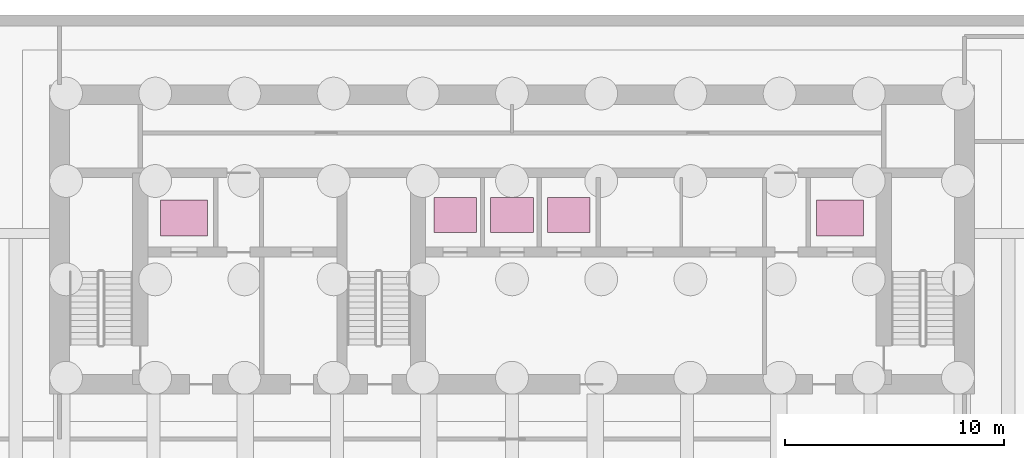
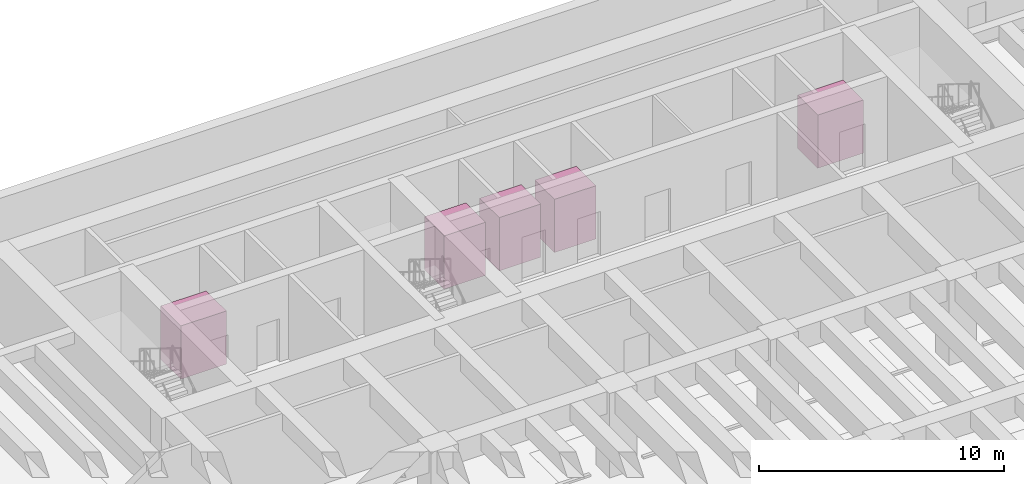
# One storey, part 10 of 10: 5 transport elements.
"""IFC4 building model written with IfcOpenShell, lengths in metres."""

from ifc_helpers import new_model, si_unit, direction, frame, origin, origin_2d, place, context, subcontext, project, spatial, rectangle, extrude, material, type_object, element, save


model = new_model("IFC4")

# Units and contexts
model_context = context("Model", 3, precision=1e-05, world=origin(), true_north=direction((0.0, 1.0)))
body_context = subcontext(model_context, "Body", "Model", "MODEL_VIEW")
ifc_project = project(units=[si_unit("LENGTHUNIT", "METRE"), si_unit("AREAUNIT", "SQUARE_METRE"), si_unit("VOLUMEUNIT", "CUBIC_METRE"), si_unit("PLANEANGLEUNIT", "RADIAN"), si_unit("MASSUNIT", "GRAM", prefix="KILO")], contexts=[model_context])

# Site, building, storey
site_placement = place(None, origin())
site = spatial("IfcSite", under=ifc_project, at=site_placement, CompositionType="ELEMENT")
building_placement = place(site_placement, origin())
building = spatial("IfcBuilding", under=site, at=building_placement, Name="Caelmar Bay Residences", CompositionType="ELEMENT")
storey_placement = place(building_placement, frame((0.0, 0.0, -9.0)))
storey = spatial("IfcBuildingStorey", under=building, at=storey_placement, Name="B02", CompositionType="ELEMENT", Elevation=-9.0)

# Transport elements
ifc_material_1 = material(Name="Brushed stainless steel and bronze fire-service lift car", Category="steel")
transport_element_type_1 = type_object("IfcTransportElementType", Name="LIFT-FSAE-1800", PredefinedType="ELEVATOR", material=ifc_material_1)
for number, where, z_axis, x_axis, name in (
    (1, (23.89990234375, 44.5, 0.0), (0.0, 0.0, 1.0), (1.0, 0.0, 0.0), "Elevator Car LF1"),
    (2, (53.89990234375, 44.5, 0.0), (0.0, 0.0, 1.0), (1.0, 0.0, 0.0), "Elevator Car LF2"),
):
    element("IfcTransportElement", number, at=place(storey_placement, frame(where, z_axis=z_axis, x_axis=x_axis)), inside=storey, type_object=transport_element_type_1, Name=name, PredefinedType="ELEVATOR", context=body_context, shape_type="SweptSolid", body=[
        extrude(rectangle(XDim=2.14990234375, YDim=1.64990234375, at=origin_2d()), origin(), (0.0, 0.0, 1.0), 2.64990234375),
    ])
ifc_material_2 = material(Name="Anodised bronze and stone-lined passenger lift car", Category="masonry")
transport_element_type_2 = type_object("IfcTransportElementType", Name="LIFT-PAX-1600", PredefinedType="ELEVATOR", material=ifc_material_2)
for number, where, z_axis, x_axis, name in (
    (3, (36.300048828125, 44.64990234375, 0.0), (0.0, 0.0, 1.0), (1.0, 0.0, 0.0), "Elevator Car LP1"),
    (4, (38.89990234375, 44.64990234375, 0.0), (0.0, 0.0, 1.0), (1.0, 0.0, 0.0), "Elevator Car LP2"),
    (5, (41.5, 44.64990234375, 0.0), (0.0, 0.0, 1.0), (1.0, 0.0, 0.0), "Elevator Car LP3"),
):
    element("IfcTransportElement", number, at=place(storey_placement, frame(where, z_axis=z_axis, x_axis=x_axis)), inside=storey, type_object=transport_element_type_2, Name=name, PredefinedType="ELEVATOR", context=body_context, shape_type="SweptSolid", body=[
        extrude(rectangle(XDim=1.949951171875, YDim=1.60009765625, at=origin_2d()), origin(), (0.0, 0.0, 1.0), 2.64990234375),
    ])

save(model, "model.ifc")
